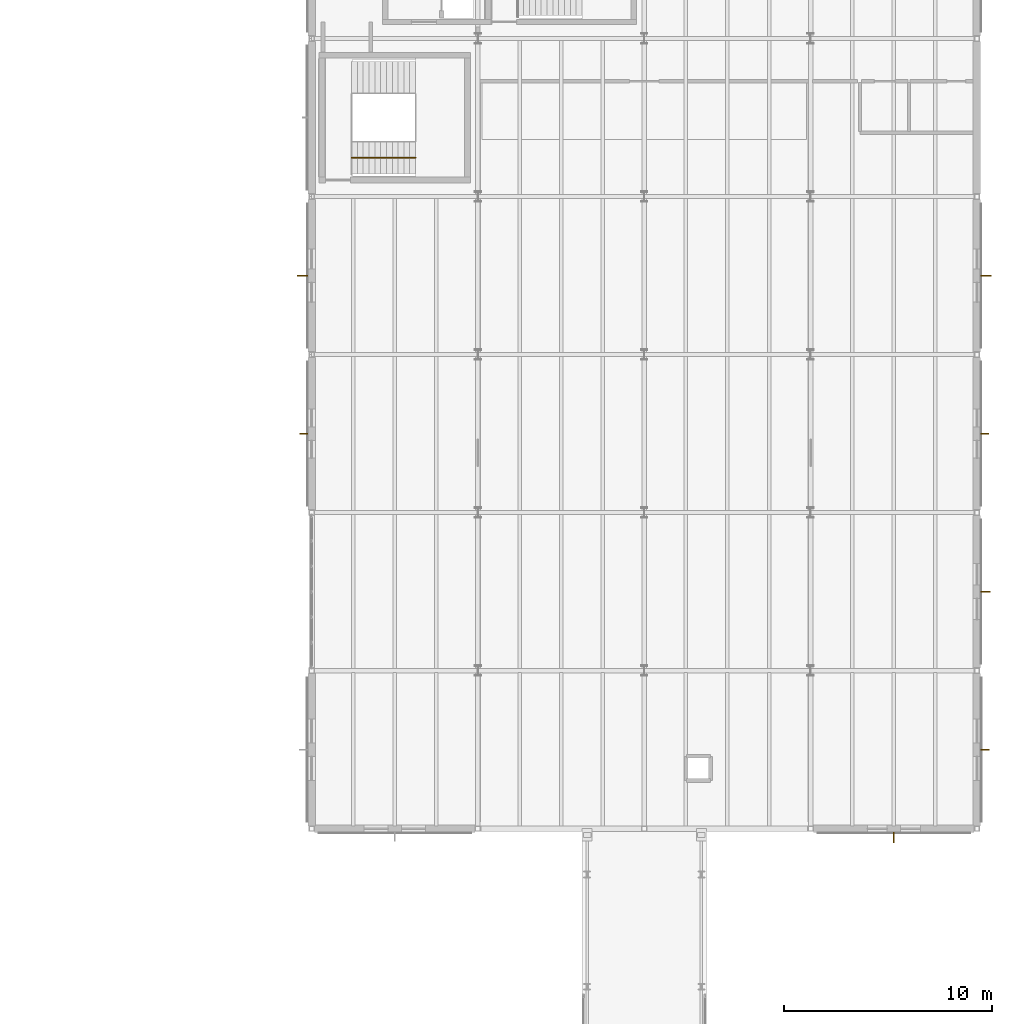
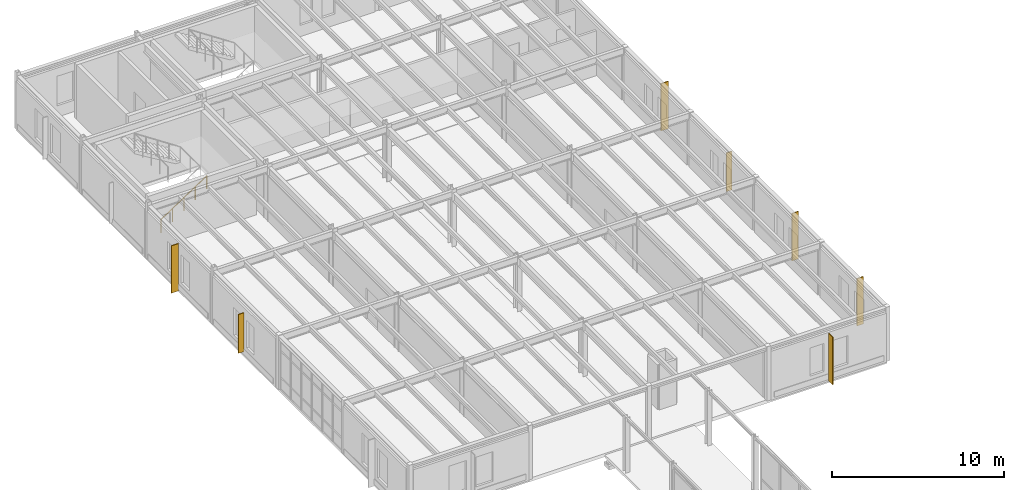
# One storey, part 188 of 189: 7 shading devices, 1 railing.
"""IFC4 building model written with IfcOpenShell, lengths in metres."""

from ifc_helpers import new_model, si_unit, direction, frame, origin, origin_2d, place, context, subcontext, project, spatial, rectangle, circle, extrude, material, type_object, element, save


model = new_model("IFC4")

# Units and contexts
model_context = context("Model", 3, precision=1e-05, world=origin(), true_north=direction((0.0, 1.0)))
body_context = subcontext(model_context, "Body", "Model", "MODEL_VIEW")
ifc_project = project(units=[si_unit("LENGTHUNIT", "METRE"), si_unit("AREAUNIT", "SQUARE_METRE"), si_unit("VOLUMEUNIT", "CUBIC_METRE"), si_unit("PLANEANGLEUNIT", "RADIAN"), si_unit("MASSUNIT", "GRAM", prefix="KILO")], contexts=[model_context])

# Site, building, storey
site_placement = place(None, origin())
site = spatial("IfcSite", under=ifc_project, at=site_placement, CompositionType="ELEMENT")
building_placement = place(site_placement, origin())
building = spatial("IfcBuilding", under=site, at=building_placement, Name="Montecoro Central Library", CompositionType="ELEMENT")
storey_placement = place(building_placement, frame((0.0, 0.0, 9.179931640625)))
storey = spatial("IfcBuildingStorey", under=building, at=storey_placement, Name="L02", CompositionType="ELEMENT", Elevation=9.179931640625)

# Railing
ifc_material_1 = material(Name="Brushed architectural bronze handrail")
railing_type = type_object("IfcRailingType", Name="HRL-STR-095", PredefinedType="HANDRAIL", material=ifc_material_1)
railing_placement = place(storey_placement, frame((142.919921875, 105.675048828125, 0.0)))
element("IfcRailing", 1, at=railing_placement, inside=storey, type_object=railing_type, Name="C8-L02-STR-HR1", PredefinedType="HANDRAIL", context=body_context, shape_type="SweptSolid", body=[
    extrude(circle(Radius=0.02392578125, at=origin_2d()), frame((0.0, 0.0, 0.92578125), z_axis=(0.833713881912, 0.0, 0.552196670677), x_axis=(0.0, 1.0, 0.0)), (0.0, 0.0, 1.0), 3.6943359375),
    extrude(circle(Radius=0.02099609375, at=origin_2d()), origin(), (0.0, 0.0, 1.0), 0.90185546875),
    extrude(circle(Radius=0.02099609375, at=origin_2d()), frame((0.77001953125, 0.0, 0.510009765625)), (0.0, 0.0, 1.0), 0.90185546875),
    extrude(circle(Radius=0.02099609375, at=origin_2d()), frame((1.5400390625, 0.0, 1.02001953125)), (0.0, 0.0, 1.0), 0.90185546875),
    extrude(circle(Radius=0.02099609375, at=origin_2d()), frame((2.31005859375, 0.0, 1.530029296875)), (0.0, 0.0, 1.0), 0.90185546875),
    extrude(circle(Radius=0.02099609375, at=origin_2d()), frame((3.080078125, 0.0, 2.0400390625)), (0.0, 0.0, 1.0), 0.90185546875),
])

# Shading devices
ifc_material_2 = material(Name="Architectural bronze solar fin", Category="aluminium")
shading_device_type_1 = type_object("IfcShadingDeviceType", Name="SHD-FIN-09", PredefinedType="USERDEFINED", material=ifc_material_2)
shading_device_1_placement = place(storey_placement, frame((173.390380859375, 77.199951171875, 0.06005859375), z_axis=(0.0, 0.0, 1.0), x_axis=(0.0, 1.0, 0.0)))
element("IfcShadingDevice", 2, at=shading_device_1_placement, inside=storey, type_object=shading_device_type_1, Name="V5-L02-FIN-E0", ObjectType="SOLAR FIN", PredefinedType="USERDEFINED", context=body_context, shape_type="SweptSolid", body=[
    extrude(rectangle(XDim=0.06005859375, YDim=0.419921875, at=origin_2d()), origin(), (0.0, 0.0, 1.0), 3.360107421875),
])
shading_device_type_2 = type_object("IfcShadingDeviceType", Name="SHD-FIN-10", PredefinedType="USERDEFINED", material=ifc_material_2)
shading_device_2_placement = place(storey_placement, frame((173.410400390625, 84.800048828125, 0.06005859375), z_axis=(0.0, 0.0, 1.0), x_axis=(0.0, 1.0, 0.0)))
element("IfcShadingDevice", 3, at=shading_device_2_placement, inside=storey, type_object=shading_device_type_2, Name="V5-L02-FIN-E1", ObjectType="SOLAR FIN", PredefinedType="USERDEFINED", context=body_context, shape_type="SweptSolid", body=[
    extrude(rectangle(XDim=0.06005859375, YDim=0.4599609375, at=origin_2d()), origin(), (0.0, 0.0, 1.0), 3.360107421875),
])
shading_device_type_3 = type_object("IfcShadingDeviceType", Name="SHD-FIN-11", PredefinedType="USERDEFINED", material=ifc_material_2)
for number, where, z_axis, x_axis, name in (
    (4, (173.37060546875, 92.39990234375, 0.364990234375), (0.0, 0.0, 1.0), (0.0, 1.0, 0.0), "V5-L02-FIN-E2"),
    (5, (140.62939453125, 92.39990234375, 0.364990234375), (0.0, 0.0, 1.0), (0.0, -1.0, 0.0), "V5-L02-FIN-W2"),
):
    element("IfcShadingDevice", number, at=place(storey_placement, frame(where, z_axis=z_axis, x_axis=x_axis)), inside=storey, type_object=shading_device_type_3, Name=name, ObjectType="SOLAR FIN", PredefinedType="USERDEFINED", context=body_context, shape_type="SweptSolid", body=[
        extrude(rectangle(XDim=0.06005859375, YDim=0.3798828125, at=origin_2d()), origin(), (0.0, 0.0, 1.0), 2.75),
    ])
shading_device_type_4 = type_object("IfcShadingDeviceType", Name="SHD-FIN-12", PredefinedType="USERDEFINED", material=ifc_material_2)
for number, where, z_axis, x_axis, name in (
    (6, (169.0, 72.969482421875, 0.06005859375), (0.0, 0.0, 1.0), (1.0, 0.0, 0.0), "V5-L02-FIN-S3"),
    (7, (173.430419921875, 100.0, 0.06005859375), (0.0, 0.0, 1.0), (0.0, 1.0, 0.0), "V5-L02-FIN-E3"),
    (8, (140.569580078125, 100.0, 0.06005859375), (0.0, 0.0, 1.0), (0.0, -1.0, 0.0), "V5-L02-FIN-W3"),
):
    element("IfcShadingDevice", number, at=place(storey_placement, frame(where, z_axis=z_axis, x_axis=x_axis)), inside=storey, type_object=shading_device_type_4, Name=name, ObjectType="SOLAR FIN", PredefinedType="USERDEFINED", context=body_context, shape_type="SweptSolid", body=[
        extrude(rectangle(XDim=0.06005859375, YDim=0.5, at=origin_2d()), origin(), (0.0, 0.0, 1.0), 3.360107421875),
    ])

save(model, "model.ifc")
